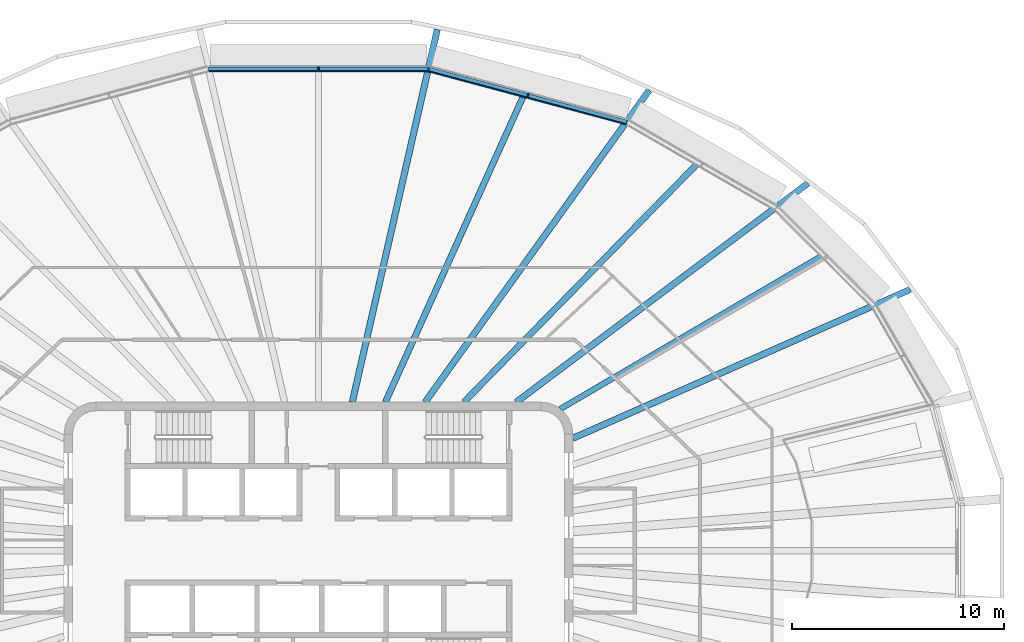
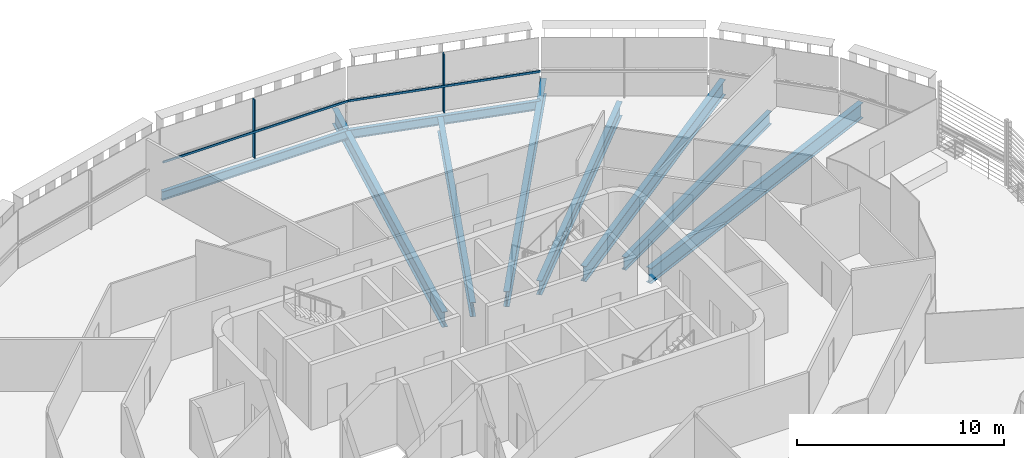
# One storey, part 6 of 21: 9 beams, 4 members, 2 elements without a shape of their own.
"""IFC4 building model written with IfcOpenShell, lengths in metres."""

import ifcopenshell
import ifcopenshell.guid

model = None  # the IFC model being written
_history = None  # IfcOwnerHistory: only IFC2X3 demands one
_inside = {}  # id of a spatial element -> (the spatial element, [elements in it])
_under = {}  # id of a project, library or spatial element -> (it, [spatial elements below it])
_declared = {}  # id of a project -> (the project, [libraries it declares])
_typed = {}  # id of a type object -> (the type object, [elements of that type])
_made_of = {}  # id of a material, layer set ... -> (it, [elements and type objects made of it])


def new_model(schema):
    """Start an empty IFC model of exactly this schema.

    Asked for "IFC4X3", IfcOpenShell would pick the latest addendum, in which some entities
    have other attributes; the version numbers below select the first issue.
    IFC2X3 requires an IfcOwnerHistory on every rooted entity: one is made here for all.
    """
    global model, _history
    if schema == "IFC4X3":
        model = ifcopenshell.file(schema_version=(4, 3, 0, 0))
    else:
        model = ifcopenshell.file(schema=schema)
    _inside.clear()
    _under.clear()
    _declared.clear()
    _typed.clear()
    _made_of.clear()
    _history = None
    if model.schema == "IFC2X3":
        org = make("IfcOrganization", Name="unknown")
        user = make(
            "IfcPersonAndOrganization",
            ThePerson=make("IfcPerson", FamilyName="unknown"),
            TheOrganization=org,
        )
        app = make(
            "IfcApplication",
            ApplicationDeveloper=org,
            Version="unknown",
            ApplicationFullName="unknown",
            ApplicationIdentifier="unknown",
        )
        _history = make(
            "IfcOwnerHistory",
            OwningUser=user,
            OwningApplication=app,
            ChangeAction="ADDED",
            CreationDate=0,
        )
    return model


def make(cls, **values):
    """One entity of the class cls with the attributes given. An attribute that is None is left unset."""
    return model.create_entity(
        cls, **{name: value for name, value in values.items() if value is not None}
    )


def rooted(cls, **values):
    """An entity with a GlobalId (a new one), such as an element, a storey or a relation."""
    return make(cls, GlobalId=ifcopenshell.guid.new(), OwnerHistory=_history, **values)


def si_unit(unit_type, name, prefix=None):
    """IfcSIUnit, for example si_unit("LENGTHUNIT", "METRE", prefix="MILLI")."""
    return make("IfcSIUnit", UnitType=unit_type, Prefix=prefix, Name=name)


def assignment(units):
    """IfcUnitAssignment: the units of a project."""
    return None if units is None else make("IfcUnitAssignment", Units=units)


def point(xyz):
    """IfcCartesianPoint."""
    return None if xyz is None else make("IfcCartesianPoint", Coordinates=xyz)


def direction(xyz):
    """IfcDirection."""
    return None if xyz is None else make("IfcDirection", DirectionRatios=xyz)


def frame(location, z_axis=None, x_axis=None):
    """IfcAxis2Placement3D, a coordinate frame: its origin and axes. An axis left out is left unset."""
    return make(
        "IfcAxis2Placement3D",
        Location=point(location),
        Axis=direction(z_axis),
        RefDirection=direction(x_axis),
    )


def frame_2d(location, x_axis=None):
    """IfcAxis2Placement2D, a coordinate frame in the plane: its origin and x axis."""
    return make(
        "IfcAxis2Placement2D", Location=point(location), RefDirection=direction(x_axis)
    )


def origin():
    """The frame at (0, 0, 0) with its axes left unset."""
    return frame((0.0, 0.0, 0.0))


def origin_2d():
    """The frame at (0, 0) in the plane with its x axis left unset."""
    return frame_2d((0.0, 0.0))


def place(relative_to, where):
    """IfcLocalPlacement: puts the frame where relative to a parent placement (None: the world)."""
    return make(
        "IfcLocalPlacement", PlacementRelTo=relative_to, RelativePlacement=where
    )


def context(
    kind, dimensions, precision=None, world=None, true_north=None, identifier=None
):
    """IfcGeometricRepresentationContext, for example the 3D "Model" context."""
    return make(
        "IfcGeometricRepresentationContext",
        ContextIdentifier=identifier,
        ContextType=kind,
        CoordinateSpaceDimension=dimensions,
        Precision=precision,
        WorldCoordinateSystem=world,
        TrueNorth=true_north,
    )


def subcontext(parent, identifier, kind, view, scale=None):
    """IfcGeometricRepresentationSubContext, for example "Body" below "Model"."""
    return make(
        "IfcGeometricRepresentationSubContext",
        ContextIdentifier=identifier,
        ContextType=kind,
        ParentContext=parent,
        TargetScale=scale,
        TargetView=view,
    )


def project(units=None, contexts=None):
    """IfcProject with its units and contexts."""
    return rooted(
        "IfcProject",
        Name="project",
        RepresentationContexts=contexts,
        UnitsInContext=assignment(units),
    )


def spatial(cls, under=None, at=None, **own):
    """A site, building, storey or space (cls), placed at a placement, below another one or the project."""
    s = rooted(cls, ObjectPlacement=at, **own)
    if under is not None:
        _under.setdefault(under.id(), (under, []))[1].append(s)
    return s


def profile(cls, at=None, kind="AREA", **sizes):
    """A parametric profile (cls). Its sizes go by their IFC names, for example OverallWidth=200.0."""
    return make(cls, ProfileType=kind, Position=at, **sizes)


def rectangle(**sizes):
    """IfcRectangleProfileDef."""
    return profile("IfcRectangleProfileDef", **sizes)


def i_section(**sizes):
    """IfcIShapeProfileDef."""
    return profile("IfcIShapeProfileDef", **sizes)


def extrude(swept, where, along, depth):
    """IfcExtrudedAreaSolid: the profile swept, set in the frame where, extruded along a direction by depth."""
    return make(
        "IfcExtrudedAreaSolid",
        SweptArea=swept,
        Position=where,
        ExtrudedDirection=direction(along),
        Depth=depth,
    )


def shape(context_of_items, identifier, shape_type, items):
    """IfcShapeRepresentation: the items that make up one representation, for example the "Body"."""
    return make(
        "IfcShapeRepresentation",
        ContextOfItems=context_of_items,
        RepresentationIdentifier=identifier,
        RepresentationType=shape_type,
        Items=items,
    )


def material(Name=None, Category=None):
    """IfcMaterial."""
    return make("IfcMaterial", Name=Name, Category=Category)


def layer(
    of_material, thickness, ventilated=None, Name=None, Category=None, Priority=None
):
    """IfcMaterialLayer: one layer of a wall or slab, of a material (None: an air gap)."""
    return make(
        "IfcMaterialLayer",
        Material=of_material,
        LayerThickness=thickness,
        IsVentilated=ventilated,
        Name=Name,
        Category=Category,
        Priority=Priority,
    )


def layer_set(layers, Name=None):
    """IfcMaterialLayerSet."""
    return make("IfcMaterialLayerSet", MaterialLayers=layers, LayerSetName=Name)


def material_profile(
    of_material, cross_section, Name=None, Category=None, Priority=None
):
    """IfcMaterialProfile: a cross section and its material."""
    return make(
        "IfcMaterialProfile",
        Name=Name,
        Material=of_material,
        Profile=cross_section,
        Priority=Priority,
        Category=Category,
    )


def profile_set(profiles, Name=None, composite=None):
    """IfcMaterialProfileSet."""
    return make(
        "IfcMaterialProfileSet",
        Name=Name,
        MaterialProfiles=profiles,
        CompositeProfile=composite,
    )


def made_of(thing, what):
    """Note that an element or type object is made of a material, layer set ...; save() writes the relation."""
    if what is not None:
        _made_of.setdefault(what.id(), (what, []))[1].append(thing)
    return thing


def type_object(cls, material=None, **own):
    """A type object (cls), such as IfcWallType, which elements share."""
    return made_of(rooted(cls, **own), material)


def element(
    cls,
    number,
    at=None,
    inside=None,
    cuts=None,
    type_object=None,
    material=None,
    context=None,
    identifier="Body",
    shape_type=None,
    held_by="IfcProductDefinitionShape",
    body=None,
    shapes=None,
    **own,
):
    """One element of the class cls, such as IfcWall. Its Tag is "e" and its number.

    at: its placement. inside: the storey or other place that contains it. cuts: it is an
    opening in that element (IfcRelVoidsElement). A single representation is given by context,
    identifier, shape_type and body (its items); several are given by shapes. held_by: the class
    of the entity that holds the representations. save() writes the other relations.
    """
    e = rooted(cls, Tag="e%d" % number, ObjectPlacement=at, **own)
    if body is not None:
        shapes = [shape(context, identifier, shape_type, body)]
    if shapes is not None:
        e.Representation = make(held_by, Representations=shapes)
    if inside is not None:
        _inside.setdefault(inside.id(), (inside, []))[1].append(e)
    if cuts is not None:
        rooted(
            "IfcRelVoidsElement", RelatingBuildingElement=cuts, RelatedOpeningElement=e
        )
    if type_object is not None:
        _typed.setdefault(type_object.id(), (type_object, []))[1].append(e)
    return made_of(e, material)


def aggregate(whole, parts):
    """IfcRelAggregates: a whole, such as a stair, and the parts it consists of."""
    return rooted("IfcRelAggregates", RelatingObject=whole, RelatedObjects=parts)


def save(model, path):
    """Write the relations noted so far, then the file.

    IfcRelAggregates (storeys below a building ...), IfcRelContainedInSpatialStructure (elements
    in a storey), IfcRelDefinesByType, IfcRelAssociatesMaterial and IfcRelDeclares: one each for
    every whole, place, type object, material and project.
    """
    for whole, parts in _under.values():
        aggregate(whole, parts)
    for where, things in _inside.values():
        rooted(
            "IfcRelContainedInSpatialStructure",
            RelatedElements=things,
            RelatingStructure=where,
        )
    for kind, things in _typed.values():
        rooted("IfcRelDefinesByType", RelatedObjects=things, RelatingType=kind)
    for what, things in _made_of.values():
        rooted("IfcRelAssociatesMaterial", RelatedObjects=things, RelatingMaterial=what)
    for by, libraries in _declared.values():
        rooted("IfcRelDeclares", RelatingContext=by, RelatedDefinitions=libraries)
    model.write(path)


model = new_model("IFC4")

# Units and contexts
model_context = context("Model", 3, precision=1e-05, world=origin(), true_north=direction((0.0, 1.0)))
body_context = subcontext(model_context, "Body", "Model", "MODEL_VIEW")
ifc_project = project(units=[si_unit("LENGTHUNIT", "METRE"), si_unit("AREAUNIT", "SQUARE_METRE"), si_unit("VOLUMEUNIT", "CUBIC_METRE"), si_unit("PLANEANGLEUNIT", "RADIAN"), si_unit("MASSUNIT", "GRAM", prefix="KILO")], contexts=[model_context])

# Site, building, storey
site_placement = place(None, origin())
site = spatial("IfcSite", under=ifc_project, at=site_placement, CompositionType="ELEMENT")
building_placement = place(site_placement, origin())
building = spatial("IfcBuilding", under=site, at=building_placement, Name="Sahrelin Media Tower", CompositionType="ELEMENT")
storey_placement = place(building_placement, frame((0.0, 0.0, 259.0)))
storey = spatial("IfcBuildingStorey", under=building, at=storey_placement, Name="L56", CompositionType="ELEMENT", Elevation=259.0)

# Beams
ifc_material_1 = material(Name="Steel S355", Category="steel")
ifc_material_profile_1 = material_profile(ifc_material_1, i_section(OverallWidth=0.208740234375, OverallDepth=0.5283203125, WebThickness=0.009521484375, FlangeThickness=0.01318359375, FilletRadius=0.0126953125, at=origin_2d()), Name="UB 533x210x82")
ifc_profile_set_1 = profile_set([ifc_material_profile_1], Name="Steel S355")
beam_type_1 = type_object("IfcBeamType", Name="Edge beam EB6", PredefinedType="BEAM", material=ifc_profile_set_1)
beam_1_placement = place(storey_placement, frame((-5.178955078125, 22.70751953125, -0.4140625), z_axis=(1.0, 0.0, 0.0), x_axis=(0.0, 1.0, 0.0)))
element("IfcBeam", 1, at=beam_1_placement, inside=storey, type_object=beam_type_1, Name="Edge beam L56-19", PredefinedType="BEAM", context=body_context, shape_type="SweptSolid", body=[
    extrude(i_section(OverallWidth=0.208740234375, OverallDepth=0.5283203125, WebThickness=0.009521484375, FlangeThickness=0.01318359375, FilletRadius=0.0126953125, at=origin_2d()), origin(), (0.0, 0.0, 1.0), 10.35791015625),
])
beam_2_placement = place(storey_placement, frame((5.20751953125, 22.70361328125, -0.4140625), z_axis=(0.96592932652, -0.258805981709, 0.0), x_axis=(0.258805981709, 0.96592932652, 0.0)))
element("IfcBeam", 2, at=beam_2_placement, inside=storey, type_object=beam_type_1, Name="Edge beam L56-20", PredefinedType="BEAM", context=body_context, shape_type="SweptSolid", body=[
    extrude(i_section(OverallWidth=0.208740234375, OverallDepth=0.5283203125, WebThickness=0.009521484375, FlangeThickness=0.01318359375, FilletRadius=0.0126953125, at=origin_2d()), origin(), (0.0, 0.0, 1.0), 9.66064453125),
])

# Curtain wall, member
ifc_material_2 = material(Name="Champagne anodised aluminium 6063-T6", Category="aluminium")
ifc_layer = layer(ifc_material_2, 0.14990234375)
ifc_layer_set = layer_set([ifc_layer], Name="Tower ribbon curtain wall")
curtain_wall_type = type_object("IfcCurtainWallType", Name="Tower ribbon curtain wall", PredefinedType="NOTDEFINED", material=ifc_layer_set)
curtain_wall_1_placement = place(storey_placement, frame((9.912109375, 21.598388671875, 0.0), z_axis=(0.0, 0.0, 1.0), x_axis=(1.0, 0.0, 0.0)))
curtain_wall_1 = element("IfcCurtainWall", 3, at=curtain_wall_1_placement, inside=storey, type_object=curtain_wall_type, Name="L56:CW:L56-05", PredefinedType="NOTDEFINED")
ifc_material_profile_2 = material_profile(ifc_material_2, rectangle(XDim=0.06005859375, YDim=0.199951171875, at=origin_2d()), Name="Mullion 60x200")
ifc_profile_set_2 = profile_set([ifc_material_profile_2], Name="Champagne anodised aluminium 6063-T6")
member_type_1 = type_object("IfcMemberType", Name="Mullion 60x200 CW1C", PredefinedType="MULLION", material=ifc_profile_set_2)
member_1_placement = place(storey_placement, frame((9.881103515625, 21.482421875, 0.0), z_axis=(0.0, 0.0, 1.0), x_axis=(-0.965926729732, 0.258815673384, 0.0)))
member_1 = element("IfcMember", 4, at=member_1_placement, type_object=member_type_1, Name="L56:CWM:L56-05", PredefinedType="MULLION", context=body_context, shape_type="SweptSolid", body=[
    extrude(rectangle(XDim=0.06005859375, YDim=0.199951171875, at=origin_2d()), origin(), (0.0, 0.0, 1.0), 3.448486328125),
])

curtain_wall_2_placement = place(storey_placement, frame((0.0, 22.857421875, 0.0), z_axis=(0.0, 0.0, 1.0), x_axis=(1.0, 0.0, 0.0)))
curtain_wall_2 = element("IfcCurtainWall", 5, at=curtain_wall_2_placement, inside=storey, type_object=curtain_wall_type, Name="L56:CW:L56-06", PredefinedType="NOTDEFINED")
member_2_placement = place(storey_placement, frame((0.0, 22.7373046875, 0.0), z_axis=(0.0, 0.0, 1.0), x_axis=(-1.0, 0.0, 0.0)))
member_2 = element("IfcMember", 6, at=member_2_placement, type_object=member_type_1, Name="L56:CWM:L56-06", PredefinedType="MULLION", context=body_context, shape_type="SweptSolid", body=[
    extrude(rectangle(XDim=0.06005859375, YDim=0.199951171875, at=origin_2d()), origin(), (0.0, 0.0, 1.0), 3.448486328125),
])

# Beams
ifc_material_profile_3 = material_profile(ifc_material_1, i_section(OverallWidth=0.30322265625, OverallDepth=0.903076171875, WebThickness=0.01513671875, FlangeThickness=0.020263671875, FilletRadius=0.01904296875, at=origin_2d()), Name="UB 914x305x201")
ifc_profile_set_3 = profile_set([ifc_material_profile_3], Name="Steel S355")
beam_type_2 = type_object("IfcBeamType", Name="Radial primary beam PB11", PredefinedType="BEAM", material=ifc_profile_set_3)
beam_3_placement = place(storey_placement, frame((12.0, 5.29443359375, -0.6015625), z_axis=(0.914908048248, 0.40366231339, 0.0), x_axis=(-0.40366231339, 0.914908048248, 0.0)))
element("IfcBeam", 7, at=beam_3_placement, inside=storey, type_object=beam_type_2, Name="Radial beam L56-03", PredefinedType="BEAM", context=body_context, shape_type="SweptSolid", body=[
    extrude(i_section(OverallWidth=0.30322265625, OverallDepth=0.903076171875, WebThickness=0.01513671875, FlangeThickness=0.020263671875, FilletRadius=0.01904296875, at=origin_2d()), origin(), (0.0, 0.0, 1.0), 17.401123046875),
])
beam_4_placement = place(storey_placement, frame((9.329345703125, 7.0, -0.6015625), z_axis=(0.799874013489, 0.600167945283, 0.0), x_axis=(-0.600167945283, 0.799874013489, 0.0)))
element("IfcBeam", 8, at=beam_4_placement, inside=storey, type_object=beam_type_2, Name="Radial beam L56-04", PredefinedType="BEAM", context=body_context, shape_type="SweptSolid", body=[
    extrude(i_section(OverallWidth=0.30322265625, OverallDepth=0.903076171875, WebThickness=0.01513671875, FlangeThickness=0.020263671875, FilletRadius=0.01904296875, at=origin_2d()), origin(), (0.0, 0.0, 1.0), 17.21044921875),
])
beam_5_placement = place(storey_placement, frame((5.028564453125, 7.0, -0.6015625), z_axis=(0.583430968155, 0.812162733322, 0.0), x_axis=(-0.812162733322, 0.583430968155, 0.0)))
element("IfcBeam", 9, at=beam_5_placement, inside=storey, type_object=beam_type_2, Name="Radial beam L56-05", PredefinedType="BEAM", context=body_context, shape_type="SweptSolid", body=[
    extrude(i_section(OverallWidth=0.30322265625, OverallDepth=0.903076171875, WebThickness=0.01513671875, FlangeThickness=0.020263671875, FilletRadius=0.01904296875, at=origin_2d()), origin(), (0.0, 0.0, 1.0), 18.129150390625),
])
beam_6_placement = place(storey_placement, frame((1.596435546875, 7.0, -0.6015625), z_axis=(0.222372750687, 0.974961722198, 0.0), x_axis=(-0.974961722198, 0.222372750687, 0.0)))
element("IfcBeam", 10, at=beam_6_placement, inside=storey, type_object=beam_type_2, Name="Radial beam L56-06", PredefinedType="BEAM", context=body_context, shape_type="SweptSolid", body=[
    extrude(i_section(OverallWidth=0.30322265625, OverallDepth=0.903076171875, WebThickness=0.01513671875, FlangeThickness=0.020263671875, FilletRadius=0.01904296875, at=origin_2d()), origin(), (0.0, 0.0, 1.0), 18.038330078125),
])
ifc_material_profile_4 = material_profile(ifc_material_1, i_section(OverallWidth=0.291748046875, OverallDepth=0.8349609375, WebThickness=0.013916015625, FlangeThickness=0.018798828125, FilletRadius=0.017822265625, at=origin_2d()), Name="UB 838x292x176")
ifc_profile_set_4 = profile_set([ifc_material_profile_4], Name="Steel S355")
beam_type_3 = type_object("IfcBeamType", Name="Radial secondary beam SB10", PredefinedType="BEAM", material=ifc_profile_set_4)
beam_7_placement = place(storey_placement, frame((6.856201171875, 7.0, -0.5673828125), z_axis=(0.699725987654, 0.714411325639, 0.0), x_axis=(-0.714411325639, 0.699725987654, 0.0)))
element("IfcBeam", 11, at=beam_7_placement, inside=storey, type_object=beam_type_3, Name="Secondary beam L56-04", PredefinedType="BEAM", context=body_context, shape_type="SweptSolid", body=[
    extrude(i_section(OverallWidth=0.291748046875, OverallDepth=0.8349609375, WebThickness=0.013916015625, FlangeThickness=0.018798828125, FilletRadius=0.017822265625, at=origin_2d()), origin(), (0.0, 0.0, 1.0), 15.67724609375),
])
beam_8_placement = place(storey_placement, frame((3.15625, 7.0, -0.5673828125), z_axis=(0.41103398842, 0.911620019725, 0.0), x_axis=(-0.911620019725, 0.41103398842, 0.0)))
element("IfcBeam", 12, at=beam_8_placement, inside=storey, type_object=beam_type_3, Name="Secondary beam L56-05", PredefinedType="BEAM", context=body_context, shape_type="SweptSolid", body=[
    extrude(i_section(OverallWidth=0.291748046875, OverallDepth=0.8349609375, WebThickness=0.013916015625, FlangeThickness=0.018798828125, FilletRadius=0.017822265625, at=origin_2d()), origin(), (0.0, 0.0, 1.0), 15.80126953125),
])
ifc_material_profile_5 = material_profile(ifc_material_1, i_section(OverallWidth=0.26513671875, OverallDepth=0.75390625, WebThickness=0.0126953125, FlangeThickness=0.017578125, FilletRadius=0.0166015625, at=origin_2d()), Name="UB 762x267x147")
ifc_profile_set_5 = profile_set([ifc_material_profile_5], Name="Steel S355")
beam_type_4 = type_object("IfcBeamType", Name="Radial secondary beam SB9", PredefinedType="BEAM", material=ifc_profile_set_5)
beam_9_placement = place(storey_placement, frame((11.40771484375, 6.677978515625, -0.527099609375), z_axis=(0.863005004974, 0.505195369525, 0.0), x_axis=(-0.505195369525, 0.863005004974, 0.0)))
element("IfcBeam", 13, at=beam_9_placement, inside=storey, type_object=beam_type_4, Name="Secondary beam L56-03", PredefinedType="BEAM", context=body_context, shape_type="SweptSolid", body=[
    extrude(i_section(OverallWidth=0.26513671875, OverallDepth=0.75390625, WebThickness=0.0126953125, FlangeThickness=0.017578125, FilletRadius=0.0166015625, at=origin_2d()), origin(), (0.0, 0.0, 1.0), 14.263916015625),
])

# Member
ifc_material_profile_6 = material_profile(ifc_material_2, rectangle(XDim=0.050048828125, YDim=0.1201171875, at=origin_2d()), Name="Transom 50x120")
ifc_profile_set_6 = profile_set([ifc_material_profile_6], Name="Champagne anodised aluminium 6063-T6")
member_type_2 = type_object("IfcMemberType", Name="Transom 50x120 CW1C", PredefinedType="USERDEFINED", material=ifc_profile_set_6)
member_3_placement = place(storey_placement, frame((14.499267578125, 20.115478515625, 1.60009765625), z_axis=(-0.965921568865, 0.258834933502, 0.0), x_axis=(-0.258834933502, -0.965921568865, 0.0)))
member_3 = element("IfcMember", 14, at=member_3_placement, type_object=member_type_2, Name="L56:CWT:L56-05", ObjectType="TRANSOM", PredefinedType="USERDEFINED", context=body_context, shape_type="SweptSolid", body=[
    extrude(rectangle(XDim=0.050048828125, YDim=0.1201171875, at=origin_2d()), origin(), (0.0, 0.0, 1.0), 9.62939453125),
])

aggregate(curtain_wall_1, [member_1, member_3])

member_4_placement = place(storey_placement, frame((5.1630859375, 22.6123046875, 1.60009765625), z_axis=(-1.0, 0.0, 0.0), x_axis=(0.0, -1.0, 0.0)))
member_4 = element("IfcMember", 15, at=member_4_placement, type_object=member_type_2, Name="L56:CWT:L56-06", ObjectType="TRANSOM", PredefinedType="USERDEFINED", context=body_context, shape_type="SweptSolid", body=[
    extrude(rectangle(XDim=0.050048828125, YDim=0.1201171875, at=origin_2d()), origin(), (0.0, 0.0, 1.0), 10.326171875),
])

aggregate(curtain_wall_2, [member_2, member_4])

save(model, "model.ifc")
